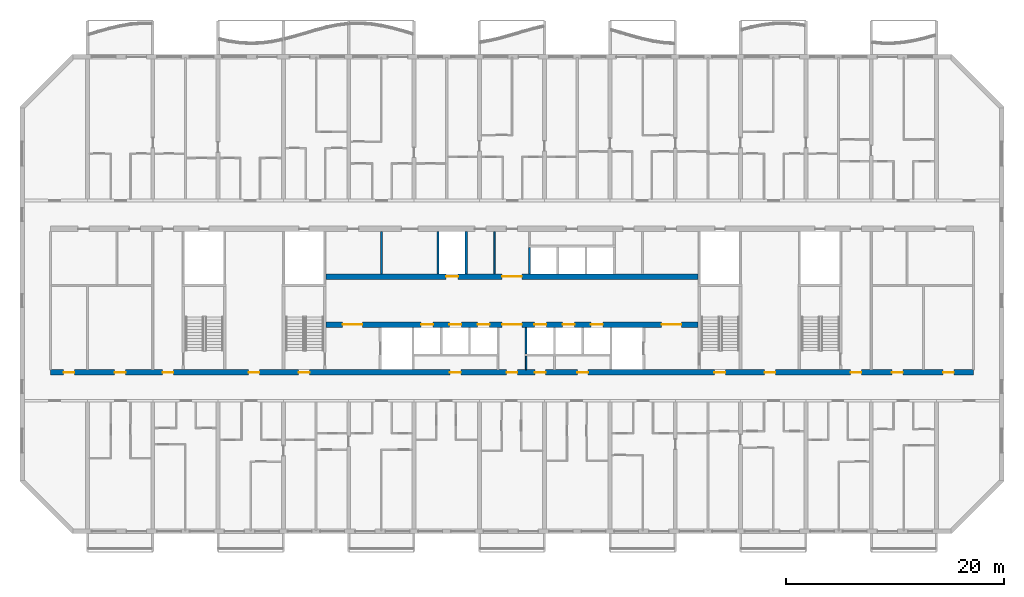
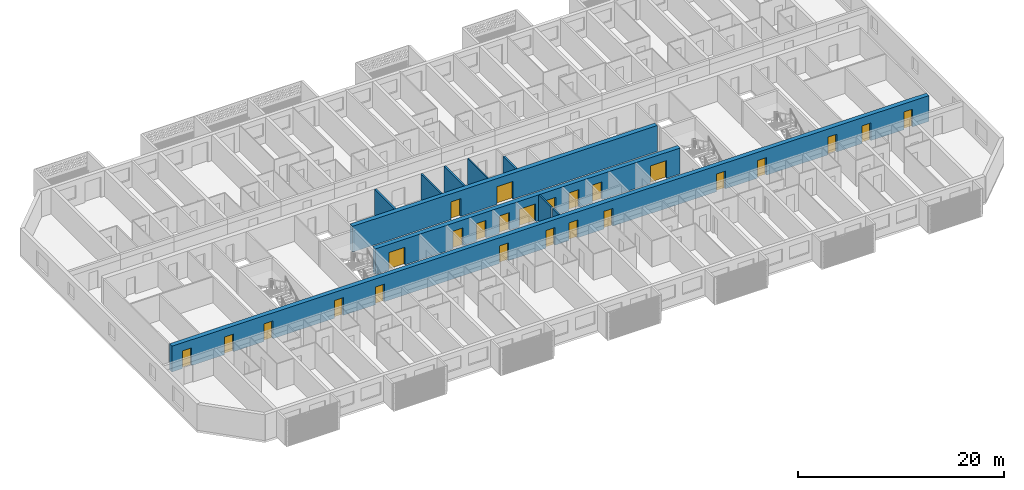
# One storey, part 7 of 25: 25 doors, 10 walls, 25 openings.
"""IFC4 building model written with IfcOpenShell, lengths in metres."""

import ifcopenshell
import ifcopenshell.guid

model = None  # the IFC model being written
_history = None  # IfcOwnerHistory: only IFC2X3 demands one
_inside = {}  # id of a spatial element -> (the spatial element, [elements in it])
_under = {}  # id of a project, library or spatial element -> (it, [spatial elements below it])
_declared = {}  # id of a project -> (the project, [libraries it declares])
_typed = {}  # id of a type object -> (the type object, [elements of that type])
_made_of = {}  # id of a material, layer set ... -> (it, [elements and type objects made of it])


def new_model(schema):
    """Start an empty IFC model of exactly this schema.

    Asked for "IFC4X3", IfcOpenShell would pick the latest addendum, in which some entities
    have other attributes; the version numbers below select the first issue.
    IFC2X3 requires an IfcOwnerHistory on every rooted entity: one is made here for all.
    """
    global model, _history
    if schema == "IFC4X3":
        model = ifcopenshell.file(schema_version=(4, 3, 0, 0))
    else:
        model = ifcopenshell.file(schema=schema)
    _inside.clear()
    _under.clear()
    _declared.clear()
    _typed.clear()
    _made_of.clear()
    _history = None
    if model.schema == "IFC2X3":
        org = make("IfcOrganization", Name="unknown")
        user = make(
            "IfcPersonAndOrganization",
            ThePerson=make("IfcPerson", FamilyName="unknown"),
            TheOrganization=org,
        )
        app = make(
            "IfcApplication",
            ApplicationDeveloper=org,
            Version="unknown",
            ApplicationFullName="unknown",
            ApplicationIdentifier="unknown",
        )
        _history = make(
            "IfcOwnerHistory",
            OwningUser=user,
            OwningApplication=app,
            ChangeAction="ADDED",
            CreationDate=0,
        )
    return model


def make(cls, **values):
    """One entity of the class cls with the attributes given. An attribute that is None is left unset."""
    return model.create_entity(
        cls, **{name: value for name, value in values.items() if value is not None}
    )


def rooted(cls, **values):
    """An entity with a GlobalId (a new one), such as an element, a storey or a relation."""
    return make(cls, GlobalId=ifcopenshell.guid.new(), OwnerHistory=_history, **values)


def si_unit(unit_type, name, prefix=None):
    """IfcSIUnit, for example si_unit("LENGTHUNIT", "METRE", prefix="MILLI")."""
    return make("IfcSIUnit", UnitType=unit_type, Prefix=prefix, Name=name)


def assignment(units):
    """IfcUnitAssignment: the units of a project."""
    return None if units is None else make("IfcUnitAssignment", Units=units)


def point(xyz):
    """IfcCartesianPoint."""
    return None if xyz is None else make("IfcCartesianPoint", Coordinates=xyz)


def direction(xyz):
    """IfcDirection."""
    return None if xyz is None else make("IfcDirection", DirectionRatios=xyz)


def frame(location, z_axis=None, x_axis=None):
    """IfcAxis2Placement3D, a coordinate frame: its origin and axes. An axis left out is left unset."""
    return make(
        "IfcAxis2Placement3D",
        Location=point(location),
        Axis=direction(z_axis),
        RefDirection=direction(x_axis),
    )


def frame_2d(location, x_axis=None):
    """IfcAxis2Placement2D, a coordinate frame in the plane: its origin and x axis."""
    return make(
        "IfcAxis2Placement2D", Location=point(location), RefDirection=direction(x_axis)
    )


def origin():
    """The frame at (0, 0, 0) with its axes left unset."""
    return frame((0.0, 0.0, 0.0))


def place(relative_to, where):
    """IfcLocalPlacement: puts the frame where relative to a parent placement (None: the world)."""
    return make(
        "IfcLocalPlacement", PlacementRelTo=relative_to, RelativePlacement=where
    )


def context(
    kind, dimensions, precision=None, world=None, true_north=None, identifier=None
):
    """IfcGeometricRepresentationContext, for example the 3D "Model" context."""
    return make(
        "IfcGeometricRepresentationContext",
        ContextIdentifier=identifier,
        ContextType=kind,
        CoordinateSpaceDimension=dimensions,
        Precision=precision,
        WorldCoordinateSystem=world,
        TrueNorth=true_north,
    )


def subcontext(parent, identifier, kind, view, scale=None):
    """IfcGeometricRepresentationSubContext, for example "Body" below "Model"."""
    return make(
        "IfcGeometricRepresentationSubContext",
        ContextIdentifier=identifier,
        ContextType=kind,
        ParentContext=parent,
        TargetScale=scale,
        TargetView=view,
    )


def project(units=None, contexts=None):
    """IfcProject with its units and contexts."""
    return rooted(
        "IfcProject",
        Name="project",
        RepresentationContexts=contexts,
        UnitsInContext=assignment(units),
    )


def spatial(cls, under=None, at=None, **own):
    """A site, building, storey or space (cls), placed at a placement, below another one or the project."""
    s = rooted(cls, ObjectPlacement=at, **own)
    if under is not None:
        _under.setdefault(under.id(), (under, []))[1].append(s)
    return s


def profile(cls, at=None, kind="AREA", **sizes):
    """A parametric profile (cls). Its sizes go by their IFC names, for example OverallWidth=200.0."""
    return make(cls, ProfileType=kind, Position=at, **sizes)


def rectangle(**sizes):
    """IfcRectangleProfileDef."""
    return profile("IfcRectangleProfileDef", **sizes)


def extrude(swept, where, along, depth):
    """IfcExtrudedAreaSolid: the profile swept, set in the frame where, extruded along a direction by depth."""
    return make(
        "IfcExtrudedAreaSolid",
        SweptArea=swept,
        Position=where,
        ExtrudedDirection=direction(along),
        Depth=depth,
    )


def shape(context_of_items, identifier, shape_type, items):
    """IfcShapeRepresentation: the items that make up one representation, for example the "Body"."""
    return make(
        "IfcShapeRepresentation",
        ContextOfItems=context_of_items,
        RepresentationIdentifier=identifier,
        RepresentationType=shape_type,
        Items=items,
    )


def material(Name=None, Category=None):
    """IfcMaterial."""
    return make("IfcMaterial", Name=Name, Category=Category)


def layer(
    of_material, thickness, ventilated=None, Name=None, Category=None, Priority=None
):
    """IfcMaterialLayer: one layer of a wall or slab, of a material (None: an air gap)."""
    return make(
        "IfcMaterialLayer",
        Material=of_material,
        LayerThickness=thickness,
        IsVentilated=ventilated,
        Name=Name,
        Category=Category,
        Priority=Priority,
    )


def layer_set(layers, Name=None):
    """IfcMaterialLayerSet."""
    return make("IfcMaterialLayerSet", MaterialLayers=layers, LayerSetName=Name)


def made_of(thing, what):
    """Note that an element or type object is made of a material, layer set ...; save() writes the relation."""
    if what is not None:
        _made_of.setdefault(what.id(), (what, []))[1].append(thing)
    return thing


def type_object(cls, material=None, **own):
    """A type object (cls), such as IfcWallType, which elements share."""
    return made_of(rooted(cls, **own), material)


def element(
    cls,
    number,
    at=None,
    inside=None,
    cuts=None,
    type_object=None,
    material=None,
    context=None,
    identifier="Body",
    shape_type=None,
    held_by="IfcProductDefinitionShape",
    body=None,
    shapes=None,
    **own,
):
    """One element of the class cls, such as IfcWall. Its Tag is "e" and its number.

    at: its placement. inside: the storey or other place that contains it. cuts: it is an
    opening in that element (IfcRelVoidsElement). A single representation is given by context,
    identifier, shape_type and body (its items); several are given by shapes. held_by: the class
    of the entity that holds the representations. save() writes the other relations.
    """
    e = rooted(cls, Tag="e%d" % number, ObjectPlacement=at, **own)
    if body is not None:
        shapes = [shape(context, identifier, shape_type, body)]
    if shapes is not None:
        e.Representation = make(held_by, Representations=shapes)
    if inside is not None:
        _inside.setdefault(inside.id(), (inside, []))[1].append(e)
    if cuts is not None:
        rooted(
            "IfcRelVoidsElement", RelatingBuildingElement=cuts, RelatedOpeningElement=e
        )
    if type_object is not None:
        _typed.setdefault(type_object.id(), (type_object, []))[1].append(e)
    return made_of(e, material)


def fill(opening, filler):
    """IfcRelFillsElement: the door or window that sits in an opening."""
    return rooted(
        "IfcRelFillsElement",
        RelatingOpeningElement=opening,
        RelatedBuildingElement=filler,
    )


def aggregate(whole, parts):
    """IfcRelAggregates: a whole, such as a stair, and the parts it consists of."""
    return rooted("IfcRelAggregates", RelatingObject=whole, RelatedObjects=parts)


def save(model, path):
    """Write the relations noted so far, then the file.

    IfcRelAggregates (storeys below a building ...), IfcRelContainedInSpatialStructure (elements
    in a storey), IfcRelDefinesByType, IfcRelAssociatesMaterial and IfcRelDeclares: one each for
    every whole, place, type object, material and project.
    """
    for whole, parts in _under.values():
        aggregate(whole, parts)
    for where, things in _inside.values():
        rooted(
            "IfcRelContainedInSpatialStructure",
            RelatedElements=things,
            RelatingStructure=where,
        )
    for kind, things in _typed.values():
        rooted("IfcRelDefinesByType", RelatedObjects=things, RelatingType=kind)
    for what, things in _made_of.values():
        rooted("IfcRelAssociatesMaterial", RelatedObjects=things, RelatingMaterial=what)
    for by, libraries in _declared.values():
        rooted("IfcRelDeclares", RelatingContext=by, RelatedDefinitions=libraries)
    model.write(path)


model = new_model("IFC4")

# Units and contexts
model_context = context("Model", 3, precision=1e-05, world=origin(), true_north=direction((0.0, 1.0)))
body_context = subcontext(model_context, "Body", "Model", "MODEL_VIEW")
ifc_project = project(units=[si_unit("LENGTHUNIT", "METRE"), si_unit("AREAUNIT", "SQUARE_METRE"), si_unit("VOLUMEUNIT", "CUBIC_METRE"), si_unit("PLANEANGLEUNIT", "RADIAN"), si_unit("MASSUNIT", "GRAM", prefix="KILO")], contexts=[model_context])

# Site, building, storey
site_placement = place(None, origin())
site = spatial("IfcSite", under=ifc_project, at=site_placement, CompositionType="ELEMENT")
building_placement = place(site_placement, origin())
building = spatial("IfcBuilding", under=site, at=building_placement, Name="Poui Terraces", CompositionType="ELEMENT")
storey_placement = place(building_placement, frame((0.0, 0.0, 89.39990234375)))
storey = spatial("IfcBuildingStorey", under=building, at=storey_placement, Name="L24", CompositionType="ELEMENT", Elevation=89.39990234375)

# Wall, openings, doors
ifc_material_1 = material(Name="Concrete 65 MPa", Category="concrete")
ifc_layer_1 = layer(ifc_material_1, 0.5)
ifc_layer_set_1 = layer_set([ifc_layer_1], Name="Concrete 65 MPa")
wall_type_1 = type_object("IfcWallType", Name="CORE WALL 500 65 MPA", PredefinedType="SOLIDWALL", material=ifc_layer_set_1)
wall_1_placement = place(storey_placement, frame((33.925048828125, 19.0, 0.0), z_axis=(0.0, 0.0, 1.0), x_axis=(1.0, 0.0, 0.0)))
wall_1 = element("IfcWall", 1, at=wall_1_placement, inside=storey, type_object=wall_type_1, Name="CORE WALL", PredefinedType="SOLIDWALL", context=body_context, shape_type="SweptSolid", body=[
    extrude(rectangle(XDim=34.14990234375, YDim=0.5, at=frame_2d((17.074951171875, 0.0))), origin(), (0.0, 0.0, 1.0), 3.06005859375),
])
opening_1_placement = place(wall_1_placement, frame((16.175048828125, 0.0, 0.0)))
opening_1 = element("IfcOpeningElement", 2, at=opening_1_placement, cuts=wall_1, Name="Opening FDD60", PredefinedType="OPENING", context=body_context, shape_type="SweptSolid", body=[
    extrude(rectangle(XDim=1.800048828125, YDim=2.10009765625, at=frame_2d((0.89990234375, 1.050048828125))), frame((0.0, 0.260009765625, 0.0), z_axis=(0.0, -1.0, 0.0), x_axis=(1.0, 0.0, 0.0)), (0.0, 0.0, 1.0), 0.52001953125),
])
opening_2_placement = place(wall_1_placement, frame((1.52490234375, 0.0, 0.0)))
opening_2 = element("IfcOpeningElement", 3, at=opening_2_placement, cuts=wall_1, Name="Opening FDD60", PredefinedType="OPENING", context=body_context, shape_type="SweptSolid", body=[
    extrude(rectangle(XDim=1.800048828125, YDim=2.10009765625, at=frame_2d((0.89990234375, 1.050048828125))), frame((0.0, 0.260009765625, 0.0), z_axis=(0.0, -1.0, 0.0), x_axis=(1.0, 0.0, 0.0)), (0.0, 0.0, 1.0), 0.52001953125),
])
opening_3_placement = place(wall_1_placement, frame((8.72509765625, 0.0, 0.0)))
opening_3 = element("IfcOpeningElement", 4, at=opening_3_placement, cuts=wall_1, Name="Opening LD", PredefinedType="OPENING", context=body_context, shape_type="SweptSolid", body=[
    extrude(rectangle(XDim=1.10009765625, YDim=2.10009765625, at=frame_2d((0.550048828125, 1.050048828125))), frame((0.0, 0.260009765625, 0.0), z_axis=(0.0, -1.0, 0.0), x_axis=(1.0, 0.0, 0.0)), (0.0, 0.0, 1.0), 0.52001953125),
])
opening_4_placement = place(wall_1_placement, frame((11.324951171875, 0.0, 0.0)))
opening_4 = element("IfcOpeningElement", 5, at=opening_4_placement, cuts=wall_1, Name="Opening LD", PredefinedType="OPENING", context=body_context, shape_type="SweptSolid", body=[
    extrude(rectangle(XDim=1.10009765625, YDim=2.10009765625, at=frame_2d((0.550048828125, 1.050048828125))), frame((0.0, 0.260009765625, 0.0), z_axis=(0.0, -1.0, 0.0), x_axis=(1.0, 0.0, 0.0)), (0.0, 0.0, 1.0), 0.52001953125),
])
opening_5_placement = place(wall_1_placement, frame((13.925048828125, 0.0, 0.0)))
opening_5 = element("IfcOpeningElement", 6, at=opening_5_placement, cuts=wall_1, Name="Opening LD", PredefinedType="OPENING", context=body_context, shape_type="SweptSolid", body=[
    extrude(rectangle(XDim=1.10009765625, YDim=2.10009765625, at=frame_2d((0.550048828125, 1.050048828125))), frame((0.0, 0.260009765625, 0.0), z_axis=(0.0, -1.0, 0.0), x_axis=(1.0, 0.0, 0.0)), (0.0, 0.0, 1.0), 0.52001953125),
])
opening_6_placement = place(wall_1_placement, frame((19.125, 0.0, 0.0)))
opening_6 = element("IfcOpeningElement", 7, at=opening_6_placement, cuts=wall_1, Name="Opening LD", PredefinedType="OPENING", context=body_context, shape_type="SweptSolid", body=[
    extrude(rectangle(XDim=1.10009765625, YDim=2.10009765625, at=frame_2d((0.550048828125, 1.050048828125))), frame((0.0, 0.260009765625, 0.0), z_axis=(0.0, -1.0, 0.0), x_axis=(1.0, 0.0, 0.0)), (0.0, 0.0, 1.0), 0.52001953125),
])
opening_7_placement = place(wall_1_placement, frame((21.72509765625, 0.0, 0.0)))
opening_7 = element("IfcOpeningElement", 8, at=opening_7_placement, cuts=wall_1, Name="Opening LD", PredefinedType="OPENING", context=body_context, shape_type="SweptSolid", body=[
    extrude(rectangle(XDim=1.10009765625, YDim=2.10009765625, at=frame_2d((0.550048828125, 1.050048828125))), frame((0.0, 0.260009765625, 0.0), z_axis=(0.0, -1.0, 0.0), x_axis=(1.0, 0.0, 0.0)), (0.0, 0.0, 1.0), 0.52001953125),
])
opening_8_placement = place(wall_1_placement, frame((24.324951171875, 0.0, 0.0)))
opening_8 = element("IfcOpeningElement", 9, at=opening_8_placement, cuts=wall_1, Name="Opening LD", PredefinedType="OPENING", context=body_context, shape_type="SweptSolid", body=[
    extrude(rectangle(XDim=1.10009765625, YDim=2.10009765625, at=frame_2d((0.550048828125, 1.050048828125))), frame((0.0, 0.260009765625, 0.0), z_axis=(0.0, -1.0, 0.0), x_axis=(1.0, 0.0, 0.0)), (0.0, 0.0, 1.0), 0.52001953125),
])
opening_9_placement = place(wall_1_placement, frame((30.824951171875, 0.0, 0.0)))
opening_9 = element("IfcOpeningElement", 10, at=opening_9_placement, cuts=wall_1, Name="Opening FDD60", PredefinedType="OPENING", context=body_context, shape_type="SweptSolid", body=[
    extrude(rectangle(XDim=1.800048828125, YDim=2.10009765625, at=frame_2d((0.89990234375, 1.050048828125))), frame((0.0, 0.260009765625, 0.0), z_axis=(0.0, -1.0, 0.0), x_axis=(1.0, 0.0, 0.0)), (0.0, 0.0, 1.0), 0.52001953125),
])
ifc_material_2 = material(Name="Steel fire door", Category="steel")
door_type_1 = type_object("IfcDoorType", Name="DOUBLE LOBBY FIRE DOOR 1800 X 2100", OperationType="DOUBLE_DOOR_SINGLE_SWING", PredefinedType="DOOR", material=ifc_material_2)
door_1_placement = place(opening_1_placement, frame((1.800048828125, 0.0, 0.0), z_axis=(0.0, 0.0, 1.0), x_axis=(-1.0, 0.0, 0.0)))
door_1 = element("IfcDoor", 11, at=door_1_placement, inside=storey, type_object=door_type_1, Name="DOUBLE LOBBY FIRE DOOR 141", OperationType="DOUBLE_DOOR_SINGLE_SWING", OverallHeight=2.10009765625, OverallWidth=1.800048828125, PredefinedType="DOOR", context=body_context, shape_type="SweptSolid", body=[
    extrude(rectangle(XDim=1.800048828125, YDim=2.10009765625, at=frame_2d((0.89990234375, 1.050048828125))), frame((0.0, 0.02490234375, 0.0), z_axis=(0.0, -1.0, 0.0), x_axis=(1.0, 0.0, 0.0)), (0.0, 0.0, 1.0), 0.050048828125),
])
fill(opening_1, door_1)
door_2_placement = place(opening_2_placement, origin())
door_2 = element("IfcDoor", 12, at=door_2_placement, inside=storey, type_object=door_type_1, Name="DOUBLE LOBBY FIRE DOOR 142", OperationType="DOUBLE_DOOR_SINGLE_SWING", OverallHeight=2.10009765625, OverallWidth=1.800048828125, PredefinedType="DOOR", context=body_context, shape_type="SweptSolid", body=[
    extrude(rectangle(XDim=1.800048828125, YDim=2.10009765625, at=frame_2d((0.89990234375, 1.050048828125))), frame((0.0, 0.02490234375, 0.0), z_axis=(0.0, -1.0, 0.0), x_axis=(1.0, 0.0, 0.0)), (0.0, 0.0, 1.0), 0.050048828125),
])
fill(opening_2, door_2)
door_3_placement = place(opening_9_placement, origin())
door_3 = element("IfcDoor", 13, at=door_3_placement, inside=storey, type_object=door_type_1, Name="DOUBLE LOBBY FIRE DOOR 150", OperationType="DOUBLE_DOOR_SINGLE_SWING", OverallHeight=2.10009765625, OverallWidth=1.800048828125, PredefinedType="DOOR", context=body_context, shape_type="SweptSolid", body=[
    extrude(rectangle(XDim=1.800048828125, YDim=2.10009765625, at=frame_2d((0.89990234375, 1.050048828125))), frame((0.0, 0.02490234375, 0.0), z_axis=(0.0, -1.0, 0.0), x_axis=(1.0, 0.0, 0.0)), (0.0, 0.0, 1.0), 0.050048828125),
])
fill(opening_9, door_3)
ifc_material_3 = material(Name="Stainless steel sliding door", Category="steel")
door_type_2 = type_object("IfcDoorType", Name="LIFT LANDING DOOR 1100 X 2100", OperationType="DOUBLE_DOOR_SLIDING", PredefinedType="DOOR", material=ifc_material_3)
door_4_placement = place(opening_3_placement, origin())
door_4 = element("IfcDoor", 14, at=door_4_placement, inside=storey, type_object=door_type_2, Name="LANDING DOOR", OperationType="DOUBLE_DOOR_SLIDING", OverallHeight=2.10009765625, OverallWidth=1.10009765625, PredefinedType="DOOR", context=body_context, shape_type="SweptSolid", body=[
    extrude(rectangle(XDim=1.10009765625, YDim=2.10009765625, at=frame_2d((0.550048828125, 1.050048828125))), frame((0.0, 0.02490234375, 0.0), z_axis=(0.0, -1.0, 0.0), x_axis=(1.0, 0.0, 0.0)), (0.0, 0.0, 1.0), 0.050048828125),
])
fill(opening_3, door_4)
door_5_placement = place(opening_4_placement, origin())
door_5 = element("IfcDoor", 15, at=door_5_placement, inside=storey, type_object=door_type_2, Name="LANDING DOOR", OperationType="DOUBLE_DOOR_SLIDING", OverallHeight=2.10009765625, OverallWidth=1.10009765625, PredefinedType="DOOR", context=body_context, shape_type="SweptSolid", body=[
    extrude(rectangle(XDim=1.10009765625, YDim=2.10009765625, at=frame_2d((0.550048828125, 1.050048828125))), frame((0.0, 0.02490234375, 0.0), z_axis=(0.0, -1.0, 0.0), x_axis=(1.0, 0.0, 0.0)), (0.0, 0.0, 1.0), 0.050048828125),
])
fill(opening_4, door_5)
door_6_placement = place(opening_5_placement, origin())
door_6 = element("IfcDoor", 16, at=door_6_placement, inside=storey, type_object=door_type_2, Name="LANDING DOOR", OperationType="DOUBLE_DOOR_SLIDING", OverallHeight=2.10009765625, OverallWidth=1.10009765625, PredefinedType="DOOR", context=body_context, shape_type="SweptSolid", body=[
    extrude(rectangle(XDim=1.10009765625, YDim=2.10009765625, at=frame_2d((0.550048828125, 1.050048828125))), frame((0.0, 0.02490234375, 0.0), z_axis=(0.0, -1.0, 0.0), x_axis=(1.0, 0.0, 0.0)), (0.0, 0.0, 1.0), 0.050048828125),
])
fill(opening_5, door_6)
door_7_placement = place(opening_6_placement, origin())
door_7 = element("IfcDoor", 17, at=door_7_placement, inside=storey, type_object=door_type_2, Name="LANDING DOOR", OperationType="DOUBLE_DOOR_SLIDING", OverallHeight=2.10009765625, OverallWidth=1.10009765625, PredefinedType="DOOR", context=body_context, shape_type="SweptSolid", body=[
    extrude(rectangle(XDim=1.10009765625, YDim=2.10009765625, at=frame_2d((0.550048828125, 1.050048828125))), frame((0.0, 0.02490234375, 0.0), z_axis=(0.0, -1.0, 0.0), x_axis=(1.0, 0.0, 0.0)), (0.0, 0.0, 1.0), 0.050048828125),
])
fill(opening_6, door_7)
door_8_placement = place(opening_7_placement, origin())
door_8 = element("IfcDoor", 18, at=door_8_placement, inside=storey, type_object=door_type_2, Name="LANDING DOOR", OperationType="DOUBLE_DOOR_SLIDING", OverallHeight=2.10009765625, OverallWidth=1.10009765625, PredefinedType="DOOR", context=body_context, shape_type="SweptSolid", body=[
    extrude(rectangle(XDim=1.10009765625, YDim=2.10009765625, at=frame_2d((0.550048828125, 1.050048828125))), frame((0.0, 0.02490234375, 0.0), z_axis=(0.0, -1.0, 0.0), x_axis=(1.0, 0.0, 0.0)), (0.0, 0.0, 1.0), 0.050048828125),
])
fill(opening_7, door_8)
door_9_placement = place(opening_8_placement, origin())
door_9 = element("IfcDoor", 19, at=door_9_placement, inside=storey, type_object=door_type_2, Name="LANDING DOOR", OperationType="DOUBLE_DOOR_SLIDING", OverallHeight=2.10009765625, OverallWidth=1.10009765625, PredefinedType="DOOR", context=body_context, shape_type="SweptSolid", body=[
    extrude(rectangle(XDim=1.10009765625, YDim=2.10009765625, at=frame_2d((0.550048828125, 1.050048828125))), frame((0.0, 0.02490234375, 0.0), z_axis=(0.0, -1.0, 0.0), x_axis=(1.0, 0.0, 0.0)), (0.0, 0.0, 1.0), 0.050048828125),
])
fill(opening_8, door_9)

wall_2_placement = place(storey_placement, frame((33.925048828125, 23.39990234375, 0.0), z_axis=(0.0, 0.0, 1.0), x_axis=(1.0, 0.0, 0.0)))
wall_2 = element("IfcWall", 20, at=wall_2_placement, inside=storey, type_object=wall_type_1, Name="CORE WALL", PredefinedType="SOLIDWALL", context=body_context, shape_type="SweptSolid", body=[
    extrude(rectangle(XDim=34.14990234375, YDim=0.5, at=frame_2d((17.074951171875, 0.0))), origin(), (0.0, 0.0, 1.0), 3.06005859375),
])
opening_10_placement = place(wall_2_placement, frame((16.175048828125, 0.0, 0.0)))
opening_10 = element("IfcOpeningElement", 21, at=opening_10_placement, cuts=wall_2, Name="Opening FDD60", PredefinedType="OPENING", context=body_context, shape_type="SweptSolid", body=[
    extrude(rectangle(XDim=1.800048828125, YDim=2.10009765625, at=frame_2d((0.89990234375, 1.050048828125))), frame((0.0, 0.260009765625, 0.0), z_axis=(0.0, -1.0, 0.0), x_axis=(1.0, 0.0, 0.0)), (0.0, 0.0, 1.0), 0.52001953125),
])
opening_11_placement = place(wall_2_placement, frame((11.02490234375, 0.0, 0.0)))
opening_11 = element("IfcOpeningElement", 22, at=opening_11_placement, cuts=wall_2, Name="Opening LD", PredefinedType="OPENING", context=body_context, shape_type="SweptSolid", body=[
    extrude(rectangle(XDim=1.10009765625, YDim=2.10009765625, at=frame_2d((0.550048828125, 1.050048828125))), frame((0.0, 0.260009765625, 0.0), z_axis=(0.0, -1.0, 0.0), x_axis=(1.0, 0.0, 0.0)), (0.0, 0.0, 1.0), 0.52001953125),
])
door_10_placement = place(opening_10_placement, origin())
door_10 = element("IfcDoor", 23, at=door_10_placement, inside=storey, type_object=door_type_1, Name="DOUBLE LOBBY FIRE DOOR 140", OperationType="DOUBLE_DOOR_SINGLE_SWING", OverallHeight=2.10009765625, OverallWidth=1.800048828125, PredefinedType="DOOR", context=body_context, shape_type="SweptSolid", body=[
    extrude(rectangle(XDim=1.800048828125, YDim=2.10009765625, at=frame_2d((0.89990234375, 1.050048828125))), frame((0.0, 0.02490234375, 0.0), z_axis=(0.0, -1.0, 0.0), x_axis=(1.0, 0.0, 0.0)), (0.0, 0.0, 1.0), 0.050048828125),
])
fill(opening_10, door_10)
door_11_placement = place(opening_11_placement, origin())
door_11 = element("IfcDoor", 24, at=door_11_placement, inside=storey, type_object=door_type_2, Name="LANDING DOOR", OperationType="DOUBLE_DOOR_SLIDING", OverallHeight=2.10009765625, OverallWidth=1.10009765625, PredefinedType="DOOR", context=body_context, shape_type="SweptSolid", body=[
    extrude(rectangle(XDim=1.10009765625, YDim=2.10009765625, at=frame_2d((0.550048828125, 1.050048828125))), frame((0.0, 0.02490234375, 0.0), z_axis=(0.0, -1.0, 0.0), x_axis=(1.0, 0.0, 0.0)), (0.0, 0.0, 1.0), 0.050048828125),
])
fill(opening_11, door_11)

# Walls
ifc_material_4 = material(Name="Fire-rated plasterboard wall")
ifc_layer_2 = layer(ifc_material_4, 0.14990234375)
ifc_layer_set_2 = layer_set([ifc_layer_2], Name="Fire-rated plasterboard wall")
wall_type_2 = type_object("IfcWallType", Name="CORRIDOR WALL 150", PredefinedType="PARTITIONING", material=ifc_layer_set_2)
wall_3_placement = place(storey_placement, frame((49.39990234375, 23.659912109375, 0.0), z_axis=(0.0, 0.0, 1.0), x_axis=(0.0, 1.0, 0.0)))
element("IfcWall", 25, at=wall_3_placement, inside=storey, type_object=wall_type_2, Name="CORRIDOR WALL 150", PredefinedType="PARTITIONING", context=body_context, shape_type="SweptSolid", body=[
    extrude(rectangle(XDim=3.880126953125, YDim=0.14990234375, at=frame_2d((1.93994140625, 0.0))), origin(), (0.0, 0.0, 1.0), 3.06005859375),
])
wall_4_placement = place(storey_placement, frame((52.300048828125, 14.860107421875, 0.0), z_axis=(0.0, 0.0, 1.0), x_axis=(0.0, 1.0, 0.0)))
element("IfcWall", 26, at=wall_4_placement, inside=storey, type_object=wall_type_2, Name="CORRIDOR WALL 150", PredefinedType="PARTITIONING", context=body_context, shape_type="SweptSolid", body=[
    extrude(rectangle(XDim=1.239990234375, YDim=0.14990234375, at=frame_2d((0.6201171875, 0.0))), origin(), (0.0, 0.0, 1.0), 3.06005859375),
])
ifc_material_5 = material(Name="Fire-rated masonry wall", Category="masonry")
ifc_layer_3 = layer(ifc_material_5, 0.199951171875)
ifc_layer_set_3 = layer_set([ifc_layer_3], Name="Fire-rated masonry wall")
wall_type_3 = type_object("IfcWallType", Name="PLANT ROOM WALL 200", PredefinedType="PARTITIONING", material=ifc_layer_set_3)
wall_5_placement = place(storey_placement, frame((39.0, 23.659912109375, 0.0), z_axis=(0.0, 0.0, 1.0), x_axis=(0.0, 1.0, 0.0)))
element("IfcWall", 27, at=wall_5_placement, inside=storey, type_object=wall_type_3, Name="PLANT ROOM WALL 200", PredefinedType="PARTITIONING", context=body_context, shape_type="SweptSolid", body=[
    extrude(rectangle(XDim=3.880126953125, YDim=0.199951171875, at=frame_2d((1.93994140625, 0.0))), origin(), (0.0, 0.0, 1.0), 3.06005859375),
])
ifc_material_6 = material(Name="Fire-rated masonry shaft wall", Category="masonry")
ifc_layer_4 = layer(ifc_material_6, 0.199951171875)
ifc_layer_set_4 = layer_set([ifc_layer_4], Name="Fire-rated masonry shaft wall")
wall_type_4 = type_object("IfcWallType", Name="SHAFT WALL 200", PredefinedType="PARTITIONING", material=ifc_layer_set_4)
for number, where, z_axis, x_axis, name in (
    (28, (44.199951171875, 23.659912109375, 0.0), (0.0, 0.0, 1.0), (0.0, 1.0, 0.0), "SHAFT WALL 200"),
    (29, (46.800048828125, 23.659912109375, 0.0), (0.0, 0.0, 1.0), (0.0, 1.0, 0.0), "SHAFT WALL 200"),
):
    element("IfcWall", number, at=place(storey_placement, frame(where, z_axis=z_axis, x_axis=x_axis)), inside=storey, type_object=wall_type_4, Name=name, PredefinedType="PARTITIONING", context=body_context, shape_type="SweptSolid", body=[
        extrude(rectangle(XDim=3.880126953125, YDim=0.199951171875, at=frame_2d((1.93994140625, 0.0))), origin(), (0.0, 0.0, 1.0), 3.06005859375),
    ])
wall_6_placement = place(storey_placement, frame((52.300048828125, 16.300048828125, 0.0), z_axis=(0.0, 0.0, 1.0), x_axis=(0.0, 1.0, 0.0)))
element("IfcWall", 30, at=wall_6_placement, inside=storey, type_object=wall_type_4, Name="SHAFT WALL 200", PredefinedType="PARTITIONING", context=body_context, shape_type="SweptSolid", body=[
    extrude(rectangle(XDim=2.43994140625, YDim=0.199951171875, at=frame_2d((1.219970703125, 0.0))), origin(), (0.0, 0.0, 1.0), 3.06005859375),
])
wall_7_placement = place(storey_placement, frame((52.60009765625, 23.659912109375, 0.0), z_axis=(0.0, 0.0, 1.0), x_axis=(0.0, 1.0, 0.0)))
element("IfcWall", 31, at=wall_7_placement, inside=storey, type_object=wall_type_4, Name="SHAFT WALL 200", PredefinedType="PARTITIONING", context=body_context, shape_type="SweptSolid", body=[
    extrude(rectangle(XDim=2.440185546875, YDim=0.199951171875, at=frame_2d((1.22021484375, 0.0))), origin(), (0.0, 0.0, 1.0), 3.06005859375),
])

# Wall, openings, doors
ifc_layer_5 = layer(ifc_material_1, 0.5)
ifc_layer_set_5 = layer_set([ifc_layer_5], Name="Concrete 65 MPa")
wall_type_5 = type_object("IfcWallType", Name="SPINE WALL 500 65 MPA", PredefinedType="SOLIDWALL", material=ifc_layer_set_5)
wall_8_placement = place(storey_placement, frame((8.60009765625, 14.60009765625, 0.0), z_axis=(0.0, 0.0, 1.0), x_axis=(1.0, 0.0, 0.0)))
wall_8 = element("IfcWall", 32, at=wall_8_placement, inside=storey, type_object=wall_type_5, Name="SPINE WALL", PredefinedType="SOLIDWALL", context=body_context, shape_type="SweptSolid", body=[
    extrude(rectangle(XDim=84.7998046875, YDim=0.5, at=frame_2d((42.39990234375, 0.0))), origin(), (0.0, 0.0, 1.0), 3.06005859375),
])
opening_12_placement = place(wall_8_placement, frame((1.199951171875, 0.0, 0.0)))
opening_12 = element("IfcOpeningElement", 33, at=opening_12_placement, cuts=wall_8, Name="Opening FD60", PredefinedType="OPENING", context=body_context, shape_type="SweptSolid", body=[
    extrude(rectangle(XDim=1.0, YDim=2.10009765625, at=frame_2d((0.5, 1.050048828125))), frame((0.0, 0.260009765625, 0.0), z_axis=(0.0, -1.0, 0.0), x_axis=(1.0, 0.0, 0.0)), (0.0, 0.0, 1.0), 0.52001953125),
])
opening_13_placement = place(wall_8_placement, frame((5.89990234375, 0.0, 0.0)))
opening_13 = element("IfcOpeningElement", 34, at=opening_13_placement, cuts=wall_8, Name="Opening FD60", PredefinedType="OPENING", context=body_context, shape_type="SweptSolid", body=[
    extrude(rectangle(XDim=1.0, YDim=2.10009765625, at=frame_2d((0.5, 1.050048828125))), frame((0.0, 0.260009765625, 0.0), z_axis=(0.0, -1.0, 0.0), x_axis=(1.0, 0.0, 0.0)), (0.0, 0.0, 1.0), 0.52001953125),
])
opening_14_placement = place(wall_8_placement, frame((10.300048828125, 0.0, 0.0)))
opening_14 = element("IfcOpeningElement", 35, at=opening_14_placement, cuts=wall_8, Name="Opening FDL", PredefinedType="OPENING", context=body_context, shape_type="SweptSolid", body=[
    extrude(rectangle(XDim=1.0, YDim=2.10009765625, at=frame_2d((0.5, 1.050048828125))), frame((0.0, 0.260009765625, 0.0), z_axis=(0.0, -1.0, 0.0), x_axis=(1.0, 0.0, 0.0)), (0.0, 0.0, 1.0), 0.52001953125),
])
opening_15_placement = place(wall_8_placement, frame((18.199951171875, 0.0, 0.0)))
opening_15 = element("IfcOpeningElement", 36, at=opening_15_placement, cuts=wall_8, Name="Opening D100", PredefinedType="OPENING", context=body_context, shape_type="SweptSolid", body=[
    extrude(rectangle(XDim=1.0, YDim=2.10009765625, at=frame_2d((0.5, 1.050048828125))), frame((0.0, 0.260009765625, 0.0), z_axis=(0.0, -1.0, 0.0), x_axis=(1.0, 0.0, 0.0)), (0.0, 0.0, 1.0), 0.52001953125),
])
opening_16_placement = place(wall_8_placement, frame((22.800048828125, 0.0, 0.0)))
opening_16 = element("IfcOpeningElement", 37, at=opening_16_placement, cuts=wall_8, Name="Opening FD60S", PredefinedType="OPENING", context=body_context, shape_type="SweptSolid", body=[
    extrude(rectangle(XDim=1.0, YDim=2.10009765625, at=frame_2d((0.5, 1.050048828125))), frame((0.0, 0.260009765625, 0.0), z_axis=(0.0, -1.0, 0.0), x_axis=(1.0, 0.0, 0.0)), (0.0, 0.0, 1.0), 0.52001953125),
])
opening_17_placement = place(wall_8_placement, frame((36.699951171875, 0.0, 0.0)))
opening_17 = element("IfcOpeningElement", 38, at=opening_17_placement, cuts=wall_8, Name="Opening FD60", PredefinedType="OPENING", context=body_context, shape_type="SweptSolid", body=[
    extrude(rectangle(XDim=1.0, YDim=2.10009765625, at=frame_2d((0.5, 1.050048828125))), frame((0.0, 0.260009765625, 0.0), z_axis=(0.0, -1.0, 0.0), x_axis=(1.0, 0.0, 0.0)), (0.0, 0.0, 1.0), 0.52001953125),
])
opening_18_placement = place(wall_8_placement, frame((41.89990234375, 0.0, 0.0)))
opening_18 = element("IfcOpeningElement", 39, at=opening_18_placement, cuts=wall_8, Name="Opening FDL", PredefinedType="OPENING", context=body_context, shape_type="SweptSolid", body=[
    extrude(rectangle(XDim=1.0, YDim=2.10009765625, at=frame_2d((0.5, 1.050048828125))), frame((0.0, 0.260009765625, 0.0), z_axis=(0.0, -1.0, 0.0), x_axis=(1.0, 0.0, 0.0)), (0.0, 0.0, 1.0), 0.52001953125),
])
opening_19_placement = place(wall_8_placement, frame((44.5, 0.0, 0.0)))
opening_19 = element("IfcOpeningElement", 40, at=opening_19_placement, cuts=wall_8, Name="Opening FD60", PredefinedType="OPENING", context=body_context, shape_type="SweptSolid", body=[
    extrude(rectangle(XDim=1.0, YDim=2.10009765625, at=frame_2d((0.5, 1.050048828125))), frame((0.0, 0.260009765625, 0.0), z_axis=(0.0, -1.0, 0.0), x_axis=(1.0, 0.0, 0.0)), (0.0, 0.0, 1.0), 0.52001953125),
])
opening_20_placement = place(wall_8_placement, frame((48.39990234375, 0.0, 0.0)))
opening_20 = element("IfcOpeningElement", 41, at=opening_20_placement, cuts=wall_8, Name="Opening FD60", PredefinedType="OPENING", context=body_context, shape_type="SweptSolid", body=[
    extrude(rectangle(XDim=1.0, YDim=2.10009765625, at=frame_2d((0.5, 1.050048828125))), frame((0.0, 0.260009765625, 0.0), z_axis=(0.0, -1.0, 0.0), x_axis=(1.0, 0.0, 0.0)), (0.0, 0.0, 1.0), 0.52001953125),
])
opening_21_placement = place(wall_8_placement, frame((61.0, 0.0, 0.0)))
opening_21 = element("IfcOpeningElement", 42, at=opening_21_placement, cuts=wall_8, Name="Opening FD60S", PredefinedType="OPENING", context=body_context, shape_type="SweptSolid", body=[
    extrude(rectangle(XDim=1.0, YDim=2.10009765625, at=frame_2d((0.5, 1.050048828125))), frame((0.0, 0.260009765625, 0.0), z_axis=(0.0, -1.0, 0.0), x_axis=(1.0, 0.0, 0.0)), (0.0, 0.0, 1.0), 0.52001953125),
])
opening_22_placement = place(wall_8_placement, frame((65.60009765625, 0.0, 0.0)))
opening_22 = element("IfcOpeningElement", 43, at=opening_22_placement, cuts=wall_8, Name="Opening D100", PredefinedType="OPENING", context=body_context, shape_type="SweptSolid", body=[
    extrude(rectangle(XDim=1.0, YDim=2.10009765625, at=frame_2d((0.5, 1.050048828125))), frame((0.0, 0.260009765625, 0.0), z_axis=(0.0, -1.0, 0.0), x_axis=(1.0, 0.0, 0.0)), (0.0, 0.0, 1.0), 0.52001953125),
])
opening_23_placement = place(wall_8_placement, frame((73.5, 0.0, 0.0)))
opening_23 = element("IfcOpeningElement", 44, at=opening_23_placement, cuts=wall_8, Name="Opening FDL", PredefinedType="OPENING", context=body_context, shape_type="SweptSolid", body=[
    extrude(rectangle(XDim=1.0, YDim=2.10009765625, at=frame_2d((0.5, 1.050048828125))), frame((0.0, 0.260009765625, 0.0), z_axis=(0.0, -1.0, 0.0), x_axis=(1.0, 0.0, 0.0)), (0.0, 0.0, 1.0), 0.52001953125),
])
opening_24_placement = place(wall_8_placement, frame((77.300048828125, 0.0, 0.0)))
opening_24 = element("IfcOpeningElement", 45, at=opening_24_placement, cuts=wall_8, Name="Opening FD60", PredefinedType="OPENING", context=body_context, shape_type="SweptSolid", body=[
    extrude(rectangle(XDim=1.0, YDim=2.10009765625, at=frame_2d((0.5, 1.050048828125))), frame((0.0, 0.260009765625, 0.0), z_axis=(0.0, -1.0, 0.0), x_axis=(1.0, 0.0, 0.0)), (0.0, 0.0, 1.0), 0.52001953125),
])
opening_25_placement = place(wall_8_placement, frame((82.0, 0.0, 0.0)))
opening_25 = element("IfcOpeningElement", 46, at=opening_25_placement, cuts=wall_8, Name="Opening D100", PredefinedType="OPENING", context=body_context, shape_type="SweptSolid", body=[
    extrude(rectangle(XDim=1.0, YDim=2.10009765625, at=frame_2d((0.5, 1.050048828125))), frame((0.0, 0.260009765625, 0.0), z_axis=(0.0, -1.0, 0.0), x_axis=(1.0, 0.0, 0.0)), (0.0, 0.0, 1.0), 0.52001953125),
])
ifc_material_7 = material(Name="Solid core timber door", Category="wood")
door_type_3 = type_object("IfcDoorType", Name="ACCESSIBLE INTERNAL DOOR 1000 X 2100", OperationType="NOTDEFINED", PredefinedType="DOOR", material=ifc_material_7)
door_12_placement = place(opening_15_placement, frame((1.0, 0.0, 0.0), z_axis=(0.0, 0.0, 1.0), x_axis=(-1.0, 0.0, 0.0)))
door_12 = element("IfcDoor", 47, at=door_12_placement, inside=storey, type_object=door_type_3, Name="ACCESSIBLE INTERNAL DOOR 021", OperationType="SINGLE_SWING_RIGHT", OverallHeight=2.10009765625, OverallWidth=1.0, PredefinedType="DOOR", context=body_context, shape_type="SweptSolid", body=[
    extrude(rectangle(XDim=1.0, YDim=2.10009765625, at=frame_2d((0.5, 1.050048828125))), frame((0.0, 0.02490234375, 0.0), z_axis=(0.0, -1.0, 0.0), x_axis=(1.0, 0.0, 0.0)), (0.0, 0.0, 1.0), 0.050048828125),
])
fill(opening_15, door_12)
door_13_placement = place(opening_22_placement, frame((1.0, 0.0, 0.0), z_axis=(0.0, 0.0, 1.0), x_axis=(-1.0, 0.0, 0.0)))
door_13 = element("IfcDoor", 48, at=door_13_placement, inside=storey, type_object=door_type_3, Name="ACCESSIBLE INTERNAL DOOR 028", OperationType="SINGLE_SWING_LEFT", OverallHeight=2.10009765625, OverallWidth=1.0, PredefinedType="DOOR", context=body_context, shape_type="SweptSolid", body=[
    extrude(rectangle(XDim=1.0, YDim=2.10009765625, at=frame_2d((0.5, 1.050048828125))), frame((0.0, 0.02490234375, 0.0), z_axis=(0.0, -1.0, 0.0), x_axis=(1.0, 0.0, 0.0)), (0.0, 0.0, 1.0), 0.050048828125),
])
fill(opening_22, door_13)
door_14_placement = place(opening_25_placement, frame((1.0, 0.0, 0.0), z_axis=(0.0, 0.0, 1.0), x_axis=(-1.0, 0.0, 0.0)))
door_14 = element("IfcDoor", 49, at=door_14_placement, inside=storey, type_object=door_type_3, Name="ACCESSIBLE INTERNAL DOOR 031", OperationType="SINGLE_SWING_LEFT", OverallHeight=2.10009765625, OverallWidth=1.0, PredefinedType="DOOR", context=body_context, shape_type="SweptSolid", body=[
    extrude(rectangle(XDim=1.0, YDim=2.10009765625, at=frame_2d((0.5, 1.050048828125))), frame((0.0, 0.02490234375, 0.0), z_axis=(0.0, -1.0, 0.0), x_axis=(1.0, 0.0, 0.0)), (0.0, 0.0, 1.0), 0.050048828125),
])
fill(opening_25, door_14)
door_type_4 = type_object("IfcDoorType", Name="LOBBY FIRE DOOR 1000 X 2100", OperationType="NOTDEFINED", PredefinedType="DOOR", material=ifc_material_2)
door_15_placement = place(opening_14_placement, frame((1.0, 0.0, 0.0), z_axis=(0.0, 0.0, 1.0), x_axis=(-1.0, 0.0, 0.0)))
door_15 = element("IfcDoor", 50, at=door_15_placement, inside=storey, type_object=door_type_4, Name="LOBBY FIRE DOOR 020", OperationType="SINGLE_SWING_RIGHT", OverallHeight=2.10009765625, OverallWidth=1.0, PredefinedType="DOOR", context=body_context, shape_type="SweptSolid", body=[
    extrude(rectangle(XDim=1.0, YDim=2.10009765625, at=frame_2d((0.5, 1.050048828125))), frame((0.0, 0.02490234375, 0.0), z_axis=(0.0, -1.0, 0.0), x_axis=(1.0, 0.0, 0.0)), (0.0, 0.0, 1.0), 0.050048828125),
])
fill(opening_14, door_15)
door_16_placement = place(opening_18_placement, frame((1.0, 0.0, 0.0), z_axis=(0.0, 0.0, 1.0), x_axis=(-1.0, 0.0, 0.0)))
door_16 = element("IfcDoor", 51, at=door_16_placement, inside=storey, type_object=door_type_4, Name="LOBBY FIRE DOOR 024", OperationType="SINGLE_SWING_LEFT", OverallHeight=2.10009765625, OverallWidth=1.0, PredefinedType="DOOR", context=body_context, shape_type="SweptSolid", body=[
    extrude(rectangle(XDim=1.0, YDim=2.10009765625, at=frame_2d((0.5, 1.050048828125))), frame((0.0, 0.02490234375, 0.0), z_axis=(0.0, -1.0, 0.0), x_axis=(1.0, 0.0, 0.0)), (0.0, 0.0, 1.0), 0.050048828125),
])
fill(opening_18, door_16)
door_17_placement = place(opening_23_placement, frame((1.0, 0.0, 0.0), z_axis=(0.0, 0.0, 1.0), x_axis=(-1.0, 0.0, 0.0)))
door_17 = element("IfcDoor", 52, at=door_17_placement, inside=storey, type_object=door_type_4, Name="LOBBY FIRE DOOR 029", OperationType="SINGLE_SWING_LEFT", OverallHeight=2.10009765625, OverallWidth=1.0, PredefinedType="DOOR", context=body_context, shape_type="SweptSolid", body=[
    extrude(rectangle(XDim=1.0, YDim=2.10009765625, at=frame_2d((0.5, 1.050048828125))), frame((0.0, 0.02490234375, 0.0), z_axis=(0.0, -1.0, 0.0), x_axis=(1.0, 0.0, 0.0)), (0.0, 0.0, 1.0), 0.050048828125),
])
fill(opening_23, door_17)
door_type_5 = type_object("IfcDoorType", Name="SERVICE ROOM FIRE DOOR 1000 X 2100", OperationType="NOTDEFINED", PredefinedType="DOOR", material=ifc_material_2)
door_18_placement = place(opening_12_placement, frame((1.0, 0.0, 0.0), z_axis=(0.0, 0.0, 1.0), x_axis=(-1.0, 0.0, 0.0)))
door_18 = element("IfcDoor", 53, at=door_18_placement, inside=storey, type_object=door_type_5, Name="SERVICE ROOM FIRE DOOR 018", OperationType="SINGLE_SWING_RIGHT", OverallHeight=2.10009765625, OverallWidth=1.0, PredefinedType="DOOR", context=body_context, shape_type="SweptSolid", body=[
    extrude(rectangle(XDim=1.0, YDim=2.10009765625, at=frame_2d((0.5, 1.050048828125))), frame((0.0, 0.02490234375, 0.0), z_axis=(0.0, -1.0, 0.0), x_axis=(1.0, 0.0, 0.0)), (0.0, 0.0, 1.0), 0.050048828125),
])
fill(opening_12, door_18)
door_19_placement = place(opening_13_placement, frame((1.0, 0.0, 0.0), z_axis=(0.0, 0.0, 1.0), x_axis=(-1.0, 0.0, 0.0)))
door_19 = element("IfcDoor", 54, at=door_19_placement, inside=storey, type_object=door_type_5, Name="SERVICE ROOM FIRE DOOR 019", OperationType="SINGLE_SWING_LEFT", OverallHeight=2.10009765625, OverallWidth=1.0, PredefinedType="DOOR", context=body_context, shape_type="SweptSolid", body=[
    extrude(rectangle(XDim=1.0, YDim=2.10009765625, at=frame_2d((0.5, 1.050048828125))), frame((0.0, 0.02490234375, 0.0), z_axis=(0.0, -1.0, 0.0), x_axis=(1.0, 0.0, 0.0)), (0.0, 0.0, 1.0), 0.050048828125),
])
fill(opening_13, door_19)
door_20_placement = place(opening_17_placement, frame((1.0, 0.0, 0.0), z_axis=(0.0, 0.0, 1.0), x_axis=(-1.0, 0.0, 0.0)))
door_20 = element("IfcDoor", 55, at=door_20_placement, inside=storey, type_object=door_type_5, Name="SERVICE ROOM FIRE DOOR 023", OperationType="SINGLE_SWING_LEFT", OverallHeight=2.10009765625, OverallWidth=1.0, PredefinedType="DOOR", context=body_context, shape_type="SweptSolid", body=[
    extrude(rectangle(XDim=1.0, YDim=2.10009765625, at=frame_2d((0.5, 1.050048828125))), frame((0.0, 0.02490234375, 0.0), z_axis=(0.0, -1.0, 0.0), x_axis=(1.0, 0.0, 0.0)), (0.0, 0.0, 1.0), 0.050048828125),
])
fill(opening_17, door_20)
door_21_placement = place(opening_19_placement, frame((1.0, 0.0, 0.0), z_axis=(0.0, 0.0, 1.0), x_axis=(-1.0, 0.0, 0.0)))
door_21 = element("IfcDoor", 56, at=door_21_placement, inside=storey, type_object=door_type_5, Name="SERVICE ROOM FIRE DOOR 025", OperationType="SINGLE_SWING_RIGHT", OverallHeight=2.10009765625, OverallWidth=1.0, PredefinedType="DOOR", context=body_context, shape_type="SweptSolid", body=[
    extrude(rectangle(XDim=1.0, YDim=2.10009765625, at=frame_2d((0.5, 1.050048828125))), frame((0.0, 0.02490234375, 0.0), z_axis=(0.0, -1.0, 0.0), x_axis=(1.0, 0.0, 0.0)), (0.0, 0.0, 1.0), 0.050048828125),
])
fill(opening_19, door_21)
door_22_placement = place(opening_20_placement, frame((1.0, 0.0, 0.0), z_axis=(0.0, 0.0, 1.0), x_axis=(-1.0, 0.0, 0.0)))
door_22 = element("IfcDoor", 57, at=door_22_placement, inside=storey, type_object=door_type_5, Name="SERVICE ROOM FIRE DOOR 026", OperationType="SINGLE_SWING_LEFT", OverallHeight=2.10009765625, OverallWidth=1.0, PredefinedType="DOOR", context=body_context, shape_type="SweptSolid", body=[
    extrude(rectangle(XDim=1.0, YDim=2.10009765625, at=frame_2d((0.5, 1.050048828125))), frame((0.0, 0.02490234375, 0.0), z_axis=(0.0, -1.0, 0.0), x_axis=(1.0, 0.0, 0.0)), (0.0, 0.0, 1.0), 0.050048828125),
])
fill(opening_20, door_22)
door_23_placement = place(opening_24_placement, frame((1.0, 0.0, 0.0), z_axis=(0.0, 0.0, 1.0), x_axis=(-1.0, 0.0, 0.0)))
door_23 = element("IfcDoor", 58, at=door_23_placement, inside=storey, type_object=door_type_5, Name="SERVICE ROOM FIRE DOOR 030", OperationType="SINGLE_SWING_RIGHT", OverallHeight=2.10009765625, OverallWidth=1.0, PredefinedType="DOOR", context=body_context, shape_type="SweptSolid", body=[
    extrude(rectangle(XDim=1.0, YDim=2.10009765625, at=frame_2d((0.5, 1.050048828125))), frame((0.0, 0.02490234375, 0.0), z_axis=(0.0, -1.0, 0.0), x_axis=(1.0, 0.0, 0.0)), (0.0, 0.0, 1.0), 0.050048828125),
])
fill(opening_24, door_23)
door_type_6 = type_object("IfcDoorType", Name="STAIR DOOR 1000 X 2100", OperationType="NOTDEFINED", PredefinedType="DOOR", material=ifc_material_2)
door_24_placement = place(opening_16_placement, origin())
door_24 = element("IfcDoor", 59, at=door_24_placement, inside=storey, type_object=door_type_6, Name="STAIR DOOR 022", OperationType="SINGLE_SWING_RIGHT", OverallHeight=2.10009765625, OverallWidth=1.0, PredefinedType="DOOR", context=body_context, shape_type="SweptSolid", body=[
    extrude(rectangle(XDim=1.0, YDim=2.10009765625, at=frame_2d((0.5, 1.050048828125))), frame((0.0, 0.02490234375, 0.0), z_axis=(0.0, -1.0, 0.0), x_axis=(1.0, 0.0, 0.0)), (0.0, 0.0, 1.0), 0.050048828125),
])
fill(opening_16, door_24)
door_25_placement = place(opening_21_placement, origin())
door_25 = element("IfcDoor", 60, at=door_25_placement, inside=storey, type_object=door_type_6, Name="STAIR DOOR 027", OperationType="SINGLE_SWING_RIGHT", OverallHeight=2.10009765625, OverallWidth=1.0, PredefinedType="DOOR", context=body_context, shape_type="SweptSolid", body=[
    extrude(rectangle(XDim=1.0, YDim=2.10009765625, at=frame_2d((0.5, 1.050048828125))), frame((0.0, 0.02490234375, 0.0), z_axis=(0.0, -1.0, 0.0), x_axis=(1.0, 0.0, 0.0)), (0.0, 0.0, 1.0), 0.050048828125),
])
fill(opening_21, door_25)

save(model, "model.ifc")
